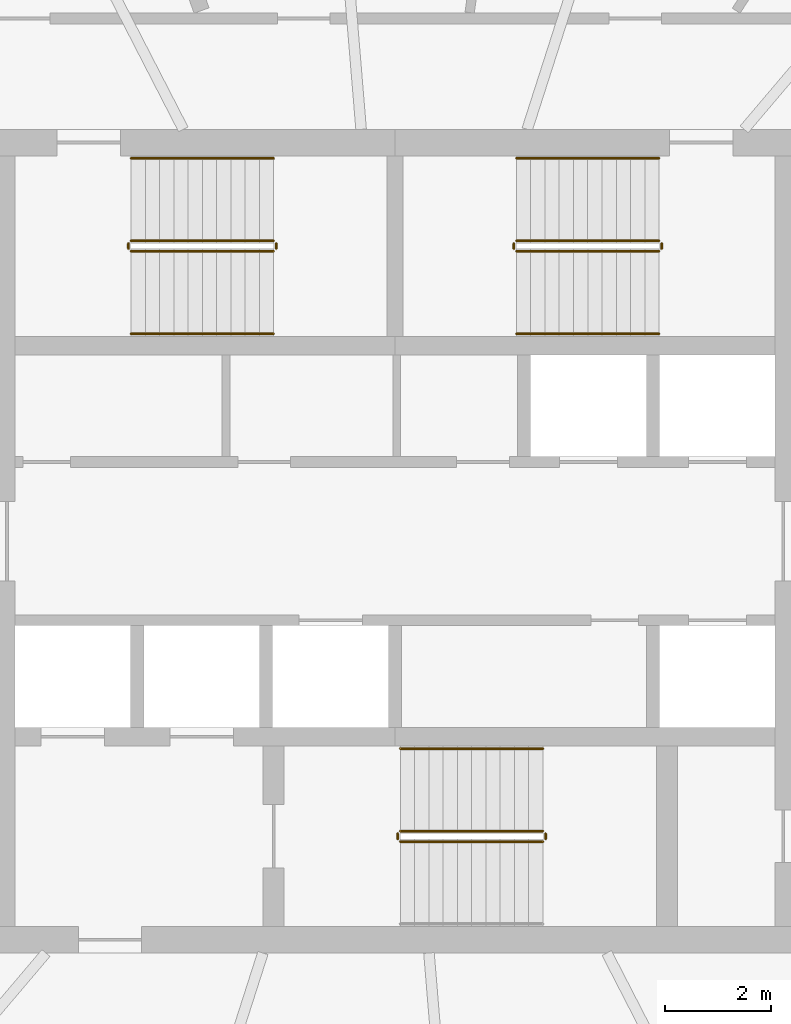
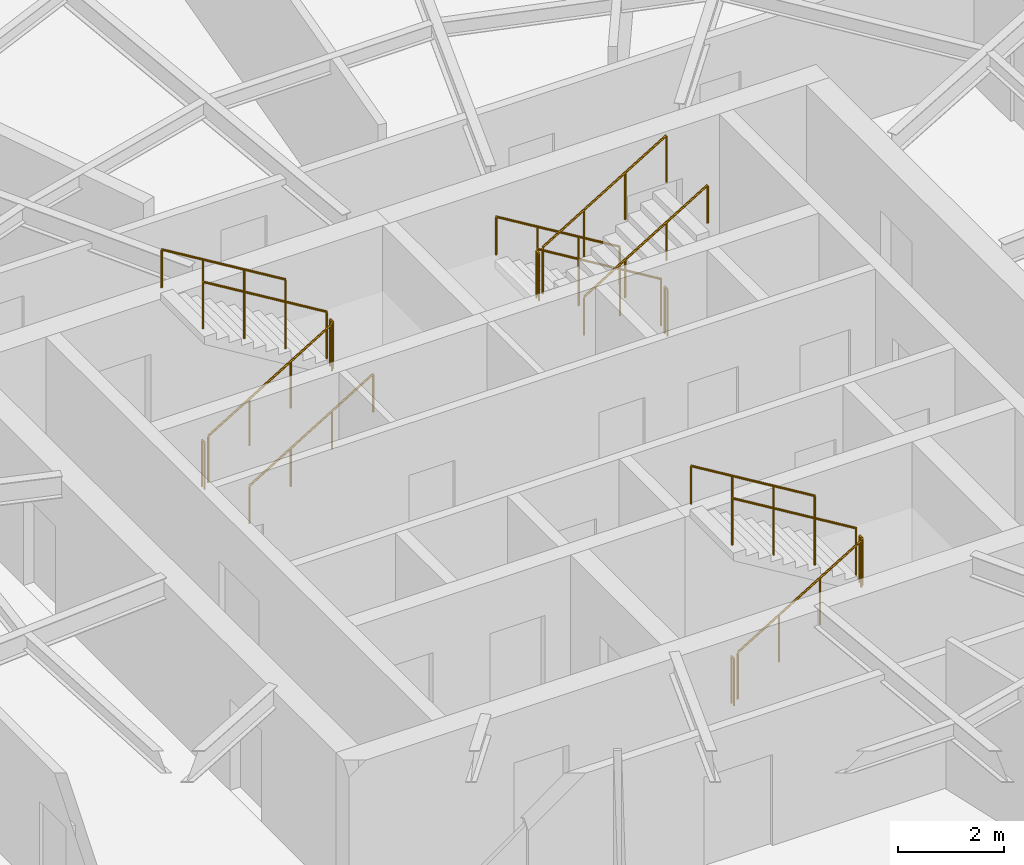
# One storey, part 12 of 13: 17 railings.
"""IFC4 building model written with IfcOpenShell, lengths in metres."""

from ifc_helpers import new_model, si_unit, direction, frame, origin, origin_2d, place, context, subcontext, project, spatial, circle, extrude, material, type_object, element, save


model = new_model("IFC4")

# Units and contexts
model_context = context("Model", 3, precision=1e-05, world=origin(), true_north=direction((0.0, 1.0)))
body_context = subcontext(model_context, "Body", "Model", "MODEL_VIEW")
ifc_project = project(units=[si_unit("LENGTHUNIT", "METRE"), si_unit("AREAUNIT", "SQUARE_METRE"), si_unit("VOLUMEUNIT", "CUBIC_METRE"), si_unit("PLANEANGLEUNIT", "RADIAN"), si_unit("MASSUNIT", "GRAM", prefix="KILO")], contexts=[model_context])

# Site, building, storey
site_placement = place(None, origin())
site = spatial("IfcSite", under=ifc_project, at=site_placement, CompositionType="ELEMENT")
building_placement = place(site_placement, origin())
building = spatial("IfcBuilding", under=site, at=building_placement, Name="Vermilion Reach Broadcast Tower", CompositionType="ELEMENT")
storey_placement = place(building_placement, frame((0.0, 0.0, 286.5)))
storey = spatial("IfcBuildingStorey", under=building, at=storey_placement, Name="L71", CompositionType="ELEMENT", Elevation=286.5)

# Railings
ifc_material_1 = material(Name="Stainless steel", Category="steel")
railing_type_1 = type_object("IfcRailingType", Name="Stair guard 1100", PredefinedType="GUARDRAIL", material=ifc_material_1)
railing_1_placement = place(storey_placement, frame((-11.0, 5.489990234375, 0.16357421875)))
element("IfcRailing", 1, at=railing_1_placement, inside=storey, type_object=railing_type_1, Name="L71 ST1 stair guard 1", PredefinedType="GUARDRAIL", context=body_context, shape_type="SweptSolid", body=[
    extrude(circle(Radius=0.02392578125, at=origin_2d()), frame((0.0, 0.0, 1.076171875), z_axis=(0.855178096276, 0.0, 0.518334277904), x_axis=(0.0, 1.0, 0.0)), (0.0, 0.0, 1.0), 3.1572265625),
    extrude(circle(Radius=0.02099609375, at=origin_2d()), origin(), (0.0, 0.0, 1.0), 1.052001953125),
    extrude(circle(Radius=0.02099609375, at=origin_2d()), frame((0.89990234375, 0.0, 0.54541015625)), (0.0, 0.0, 1.0), 1.052001953125),
    extrude(circle(Radius=0.02099609375, at=origin_2d()), frame((1.800048828125, 0.0, 1.091064453125)), (0.0, 0.0, 1.0), 1.052001953125),
    extrude(circle(Radius=0.02099609375, at=origin_2d()), frame((2.699951171875, 0.0, 1.636474609375)), (0.0, 0.0, 1.0), 1.052001953125),
])
railing_2_placement = place(storey_placement, frame((-8.25, 5.5400390625, 1.800048828125)))
element("IfcRailing", 2, at=railing_2_placement, inside=storey, type_object=railing_type_1, Name="L71 ST1 stair guard 2", PredefinedType="GUARDRAIL", context=body_context, shape_type="SweptSolid", body=[
    extrude(circle(Radius=0.02392578125, at=origin_2d()), frame((0.0, 0.0, 1.076171875), z_axis=(0.0, 1.0, 0.0), x_axis=(-1.0, 0.0, 0.0)), (0.0, 0.0, 1.0), 0.099853515625),
    extrude(circle(Radius=0.02099609375, at=origin_2d()), origin(), (0.0, 0.0, 1.0), 1.052001953125),
    extrude(circle(Radius=0.02099609375, at=origin_2d()), frame((0.0, 0.099853515625, 0.0)), (0.0, 0.0, 1.0), 1.052001953125),
])
railing_3_placement = place(storey_placement, frame((-8.300048828125, 5.68994140625, 1.963623046875)))
element("IfcRailing", 3, at=railing_3_placement, inside=storey, type_object=railing_type_1, Name="L71 ST1 stair guard 3", PredefinedType="GUARDRAIL", context=body_context, shape_type="SweptSolid", body=[
    extrude(circle(Radius=0.02392578125, at=origin_2d()), frame((0.0, 0.0, 1.076171875), z_axis=(-0.855178096276, 0.0, 0.518334277904), x_axis=(0.0, -1.0, 0.0)), (0.0, 0.0, 1.0), 3.1572265625),
    extrude(circle(Radius=0.02099609375, at=origin_2d()), origin(), (0.0, 0.0, 1.0), 1.052001953125),
    extrude(circle(Radius=0.02099609375, at=origin_2d()), frame((-0.89990234375, 0.0, 0.54541015625)), (0.0, 0.0, 1.0), 1.052001953125),
    extrude(circle(Radius=0.02099609375, at=origin_2d()), frame((-1.800048828125, 0.0, 1.091064453125)), (0.0, 0.0, 1.0), 1.052001953125),
    extrude(circle(Radius=0.02099609375, at=origin_2d()), frame((-2.699951171875, 0.0, 1.636474609375)), (0.0, 0.0, 1.0), 1.052001953125),
])
railing_4_placement = place(storey_placement, frame((-11.050048828125, 5.5400390625, 0.0)))
element("IfcRailing", 4, at=railing_4_placement, inside=storey, type_object=railing_type_1, Name="L71 ST1 stair guard 4", PredefinedType="GUARDRAIL", context=body_context, shape_type="SweptSolid", body=[
    extrude(circle(Radius=0.02392578125, at=origin_2d()), frame((0.0, 0.0, 1.076171875), z_axis=(0.0, 1.0, 0.0), x_axis=(-1.0, 0.0, 0.0)), (0.0, 0.0, 1.0), 0.099853515625),
    extrude(circle(Radius=0.02099609375, at=origin_2d()), origin(), (0.0, 0.0, 1.0), 1.052001953125),
    extrude(circle(Radius=0.02099609375, at=origin_2d()), frame((0.0, 0.099853515625, 0.0)), (0.0, 0.0, 1.0), 1.052001953125),
])
railing_5_placement = place(storey_placement, frame((-1.0, 5.68994140625, 0.16357421875)))
element("IfcRailing", 5, at=railing_5_placement, inside=storey, type_object=railing_type_1, Name="L71 ST2 stair guard 1", PredefinedType="GUARDRAIL", context=body_context, shape_type="SweptSolid", body=[
    extrude(circle(Radius=0.02392578125, at=origin_2d()), frame((0.0, 0.0, 1.076171875), z_axis=(-0.855178096276, 0.0, 0.518334277904), x_axis=(0.0, -1.0, 0.0)), (0.0, 0.0, 1.0), 3.1572265625),
    extrude(circle(Radius=0.02099609375, at=origin_2d()), origin(), (0.0, 0.0, 1.0), 1.052001953125),
    extrude(circle(Radius=0.02099609375, at=origin_2d()), frame((-0.89990234375, 0.0, 0.54541015625)), (0.0, 0.0, 1.0), 1.052001953125),
    extrude(circle(Radius=0.02099609375, at=origin_2d()), frame((-1.800048828125, 0.0, 1.091064453125)), (0.0, 0.0, 1.0), 1.052001953125),
    extrude(circle(Radius=0.02099609375, at=origin_2d()), frame((-2.699951171875, 0.0, 1.636474609375)), (0.0, 0.0, 1.0), 1.052001953125),
])
railing_6_placement = place(storey_placement, frame((-3.75, 5.639892578125, 1.800048828125)))
element("IfcRailing", 6, at=railing_6_placement, inside=storey, type_object=railing_type_1, Name="L71 ST2 stair guard 2", PredefinedType="GUARDRAIL", context=body_context, shape_type="SweptSolid", body=[
    extrude(circle(Radius=0.02392578125, at=origin_2d()), frame((0.0, 0.0, 1.076171875), z_axis=(0.0, -1.0, 0.0), x_axis=(1.0, 0.0, 0.0)), (0.0, 0.0, 1.0), 0.099853515625),
    extrude(circle(Radius=0.02099609375, at=origin_2d()), origin(), (0.0, 0.0, 1.0), 1.052001953125),
    extrude(circle(Radius=0.02099609375, at=origin_2d()), frame((0.0, -0.099853515625, 0.0)), (0.0, 0.0, 1.0), 1.052001953125),
])
railing_7_placement = place(storey_placement, frame((-3.699951171875, 5.489990234375, 1.963623046875)))
element("IfcRailing", 7, at=railing_7_placement, inside=storey, type_object=railing_type_1, Name="L71 ST2 stair guard 3", PredefinedType="GUARDRAIL", context=body_context, shape_type="SweptSolid", body=[
    extrude(circle(Radius=0.02392578125, at=origin_2d()), frame((0.0, 0.0, 1.076171875), z_axis=(0.855178096276, 0.0, 0.518334277904), x_axis=(0.0, 1.0, 0.0)), (0.0, 0.0, 1.0), 3.1572265625),
    extrude(circle(Radius=0.02099609375, at=origin_2d()), origin(), (0.0, 0.0, 1.0), 1.052001953125),
    extrude(circle(Radius=0.02099609375, at=origin_2d()), frame((0.89990234375, 0.0, 0.54541015625)), (0.0, 0.0, 1.0), 1.052001953125),
    extrude(circle(Radius=0.02099609375, at=origin_2d()), frame((1.800048828125, 0.0, 1.091064453125)), (0.0, 0.0, 1.0), 1.052001953125),
    extrude(circle(Radius=0.02099609375, at=origin_2d()), frame((2.699951171875, 0.0, 1.636474609375)), (0.0, 0.0, 1.0), 1.052001953125),
])
railing_8_placement = place(storey_placement, frame((-0.949951171875, 5.639892578125, 0.0)))
element("IfcRailing", 8, at=railing_8_placement, inside=storey, type_object=railing_type_1, Name="L71 ST2 stair guard 4", PredefinedType="GUARDRAIL", context=body_context, shape_type="SweptSolid", body=[
    extrude(circle(Radius=0.02392578125, at=origin_2d()), frame((0.0, 0.0, 1.076171875), z_axis=(0.0, -1.0, 0.0), x_axis=(1.0, 0.0, 0.0)), (0.0, 0.0, 1.0), 0.099853515625),
    extrude(circle(Radius=0.02099609375, at=origin_2d()), origin(), (0.0, 0.0, 1.0), 1.052001953125),
    extrude(circle(Radius=0.02099609375, at=origin_2d()), frame((0.0, -0.099853515625, 0.0)), (0.0, 0.0, 1.0), 1.052001953125),
])
railing_9_placement = place(storey_placement, frame((-5.89990234375, -5.68994140625, 0.16357421875)))
element("IfcRailing", 9, at=railing_9_placement, inside=storey, type_object=railing_type_1, Name="L71 ST3 stair guard 1", PredefinedType="GUARDRAIL", context=body_context, shape_type="SweptSolid", body=[
    extrude(circle(Radius=0.02392578125, at=origin_2d()), frame((0.0, 0.0, 1.076171875), z_axis=(0.855178096276, 0.0, 0.518334277904), x_axis=(0.0, 1.0, 0.0)), (0.0, 0.0, 1.0), 3.1572265625),
    extrude(circle(Radius=0.02099609375, at=origin_2d()), origin(), (0.0, 0.0, 1.0), 1.052001953125),
    extrude(circle(Radius=0.02099609375, at=origin_2d()), frame((0.89990234375, 0.0, 0.54541015625)), (0.0, 0.0, 1.0), 1.052001953125),
    extrude(circle(Radius=0.02099609375, at=origin_2d()), frame((1.800048828125, 0.0, 1.091064453125)), (0.0, 0.0, 1.0), 1.052001953125),
    extrude(circle(Radius=0.02099609375, at=origin_2d()), frame((2.699951171875, 0.0, 1.636474609375)), (0.0, 0.0, 1.0), 1.052001953125),
])
railing_10_placement = place(storey_placement, frame((-3.14990234375, -5.639892578125, 1.800048828125)))
element("IfcRailing", 10, at=railing_10_placement, inside=storey, type_object=railing_type_1, Name="L71 ST3 stair guard 2", PredefinedType="GUARDRAIL", context=body_context, shape_type="SweptSolid", body=[
    extrude(circle(Radius=0.02392578125, at=origin_2d()), frame((0.0, 0.0, 1.076171875), z_axis=(0.0, 1.0, 0.0), x_axis=(-1.0, 0.0, 0.0)), (0.0, 0.0, 1.0), 0.099853515625),
    extrude(circle(Radius=0.02099609375, at=origin_2d()), origin(), (0.0, 0.0, 1.0), 1.052001953125),
    extrude(circle(Radius=0.02099609375, at=origin_2d()), frame((0.0, 0.099853515625, 0.0)), (0.0, 0.0, 1.0), 1.052001953125),
])
railing_11_placement = place(storey_placement, frame((-3.199951171875, -5.489990234375, 1.963623046875)))
element("IfcRailing", 11, at=railing_11_placement, inside=storey, type_object=railing_type_1, Name="L71 ST3 stair guard 3", PredefinedType="GUARDRAIL", context=body_context, shape_type="SweptSolid", body=[
    extrude(circle(Radius=0.02392578125, at=origin_2d()), frame((0.0, 0.0, 1.076171875), z_axis=(-0.855178096276, 0.0, 0.518334277904), x_axis=(0.0, -1.0, 0.0)), (0.0, 0.0, 1.0), 3.1572265625),
    extrude(circle(Radius=0.02099609375, at=origin_2d()), origin(), (0.0, 0.0, 1.0), 1.052001953125),
    extrude(circle(Radius=0.02099609375, at=origin_2d()), frame((-0.89990234375, 0.0, 0.54541015625)), (0.0, 0.0, 1.0), 1.052001953125),
    extrude(circle(Radius=0.02099609375, at=origin_2d()), frame((-1.800048828125, 0.0, 1.091064453125)), (0.0, 0.0, 1.0), 1.052001953125),
    extrude(circle(Radius=0.02099609375, at=origin_2d()), frame((-2.699951171875, 0.0, 1.636474609375)), (0.0, 0.0, 1.0), 1.052001953125),
])
railing_12_placement = place(storey_placement, frame((-5.949951171875, -5.639892578125, 0.0)))
element("IfcRailing", 12, at=railing_12_placement, inside=storey, type_object=railing_type_1, Name="L71 ST3 stair guard 4", PredefinedType="GUARDRAIL", context=body_context, shape_type="SweptSolid", body=[
    extrude(circle(Radius=0.02392578125, at=origin_2d()), frame((0.0, 0.0, 1.076171875), z_axis=(0.0, 1.0, 0.0), x_axis=(-1.0, 0.0, 0.0)), (0.0, 0.0, 1.0), 0.099853515625),
    extrude(circle(Radius=0.02099609375, at=origin_2d()), origin(), (0.0, 0.0, 1.0), 1.052001953125),
    extrude(circle(Radius=0.02099609375, at=origin_2d()), frame((0.0, 0.099853515625, 0.0)), (0.0, 0.0, 1.0), 1.052001953125),
])
ifc_material_2 = material(Name="Stainless steel", Category="steel")
railing_type_2 = type_object("IfcRailingType", Name="Stair handrail", PredefinedType="HANDRAIL", material=ifc_material_2)
railing_13_placement = place(storey_placement, frame((-11.0, 3.929931640625, 0.16357421875)))
element("IfcRailing", 13, at=railing_13_placement, inside=storey, type_object=railing_type_2, Name="L71 ST1 stair handrail 1", PredefinedType="HANDRAIL", context=body_context, shape_type="SweptSolid", body=[
    extrude(circle(Radius=0.02392578125, at=origin_2d()), frame((0.0, 0.0, 0.8759765625), z_axis=(0.855178096276, 0.0, 0.518334277904), x_axis=(0.0, 1.0, 0.0)), (0.0, 0.0, 1.0), 3.1572265625),
    extrude(circle(Radius=0.02099609375, at=origin_2d()), origin(), (0.0, 0.0, 1.0), 0.851806640625),
    extrude(circle(Radius=0.02099609375, at=origin_2d()), frame((0.89990234375, 0.0, 0.54541015625)), (0.0, 0.0, 1.0), 0.851806640625),
    extrude(circle(Radius=0.02099609375, at=origin_2d()), frame((1.800048828125, 0.0, 1.091064453125)), (0.0, 0.0, 1.0), 0.851806640625),
    extrude(circle(Radius=0.02099609375, at=origin_2d()), frame((2.699951171875, 0.0, 1.636474609375)), (0.0, 0.0, 1.0), 0.851806640625),
])
for number, where, name in (
    (14, (-8.300048828125, 7.25, 1.963623046875), "L71 ST1 stair handrail 2"),
    (15, (-1.0, 7.25, 0.16357421875), "L71 ST2 stair handrail 1"),
):
    element("IfcRailing", number, at=place(storey_placement, frame(where)), inside=storey, type_object=railing_type_2, Name=name, PredefinedType="HANDRAIL", context=body_context, shape_type="SweptSolid", body=[
        extrude(circle(Radius=0.02392578125, at=origin_2d()), frame((0.0, 0.0, 0.8759765625), z_axis=(-0.855178096276, 0.0, 0.518334277904), x_axis=(0.0, -1.0, 0.0)), (0.0, 0.0, 1.0), 3.1572265625),
        extrude(circle(Radius=0.02099609375, at=origin_2d()), origin(), (0.0, 0.0, 1.0), 0.851806640625),
        extrude(circle(Radius=0.02099609375, at=origin_2d()), frame((-0.89990234375, 0.0, 0.54541015625)), (0.0, 0.0, 1.0), 0.851806640625),
        extrude(circle(Radius=0.02099609375, at=origin_2d()), frame((-1.800048828125, 0.0, 1.091064453125)), (0.0, 0.0, 1.0), 0.851806640625),
        extrude(circle(Radius=0.02099609375, at=origin_2d()), frame((-2.699951171875, 0.0, 1.636474609375)), (0.0, 0.0, 1.0), 0.851806640625),
    ])
railing_14_placement = place(storey_placement, frame((-3.699951171875, 3.929931640625, 1.963623046875)))
element("IfcRailing", 16, at=railing_14_placement, inside=storey, type_object=railing_type_2, Name="L71 ST2 stair handrail 2", PredefinedType="HANDRAIL", context=body_context, shape_type="SweptSolid", body=[
    extrude(circle(Radius=0.02392578125, at=origin_2d()), frame((0.0, 0.0, 0.8759765625), z_axis=(0.855178096276, 0.0, 0.518334277904), x_axis=(0.0, 1.0, 0.0)), (0.0, 0.0, 1.0), 3.1572265625),
    extrude(circle(Radius=0.02099609375, at=origin_2d()), origin(), (0.0, 0.0, 1.0), 0.851806640625),
    extrude(circle(Radius=0.02099609375, at=origin_2d()), frame((0.89990234375, 0.0, 0.54541015625)), (0.0, 0.0, 1.0), 0.851806640625),
    extrude(circle(Radius=0.02099609375, at=origin_2d()), frame((1.800048828125, 0.0, 1.091064453125)), (0.0, 0.0, 1.0), 0.851806640625),
    extrude(circle(Radius=0.02099609375, at=origin_2d()), frame((2.699951171875, 0.0, 1.636474609375)), (0.0, 0.0, 1.0), 0.851806640625),
])
railing_15_placement = place(storey_placement, frame((-3.199951171875, -3.929931640625, 1.963623046875)))
element("IfcRailing", 17, at=railing_15_placement, inside=storey, type_object=railing_type_2, Name="L71 ST3 stair handrail 2", PredefinedType="HANDRAIL", context=body_context, shape_type="SweptSolid", body=[
    extrude(circle(Radius=0.02392578125, at=origin_2d()), frame((0.0, 0.0, 0.8759765625), z_axis=(-0.855178096276, 0.0, 0.518334277904), x_axis=(0.0, -1.0, 0.0)), (0.0, 0.0, 1.0), 3.1572265625),
    extrude(circle(Radius=0.02099609375, at=origin_2d()), origin(), (0.0, 0.0, 1.0), 0.851806640625),
    extrude(circle(Radius=0.02099609375, at=origin_2d()), frame((-0.89990234375, 0.0, 0.54541015625)), (0.0, 0.0, 1.0), 0.851806640625),
    extrude(circle(Radius=0.02099609375, at=origin_2d()), frame((-1.800048828125, 0.0, 1.091064453125)), (0.0, 0.0, 1.0), 0.851806640625),
    extrude(circle(Radius=0.02099609375, at=origin_2d()), frame((-2.699951171875, 0.0, 1.636474609375)), (0.0, 0.0, 1.0), 0.851806640625),
])

save(model, "model.ifc")
